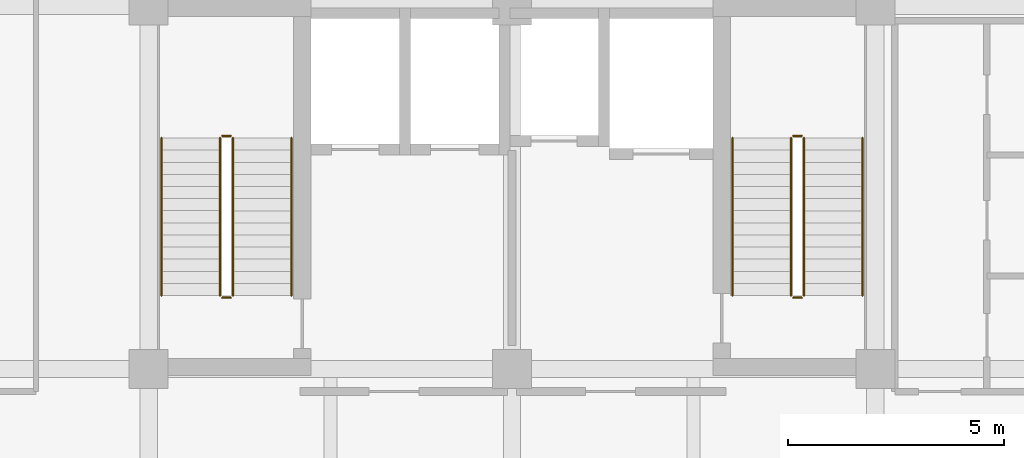
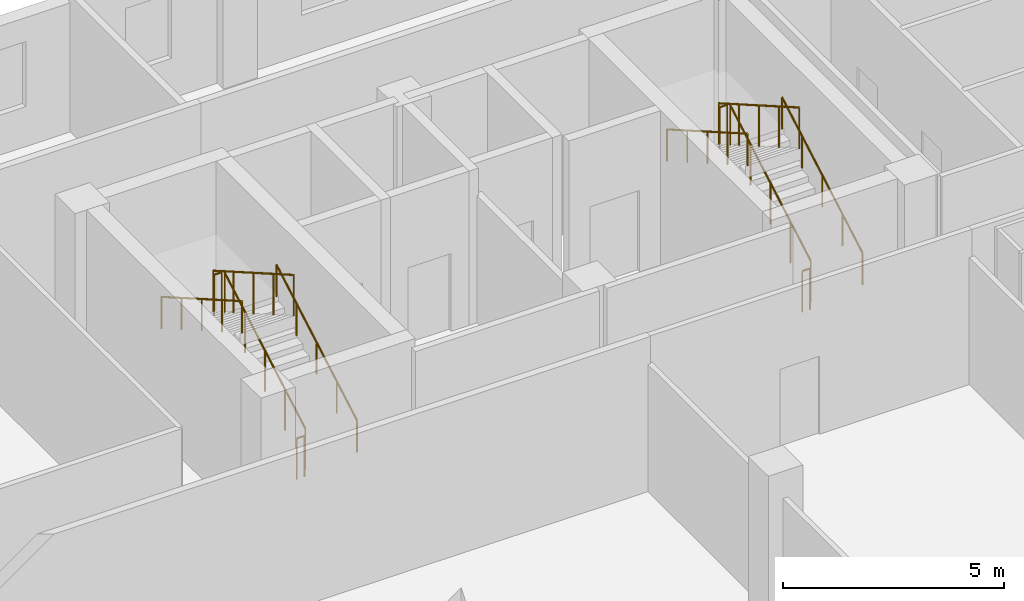
# One storey, part 18 of 18: 12 railings.
"""IFC4 building model written with IfcOpenShell, lengths in metres."""

from ifc_helpers import new_model, si_unit, direction, frame, origin, origin_2d, place, context, subcontext, project, spatial, circle, extrude, material, type_object, element, save


model = new_model("IFC4")

# Units and contexts
model_context = context("Model", 3, precision=1e-05, world=origin(), true_north=direction((0.0, 1.0)))
body_context = subcontext(model_context, "Body", "Model", "MODEL_VIEW")
ifc_project = project(units=[si_unit("LENGTHUNIT", "METRE"), si_unit("AREAUNIT", "SQUARE_METRE"), si_unit("VOLUMEUNIT", "CUBIC_METRE"), si_unit("PLANEANGLEUNIT", "RADIAN"), si_unit("MASSUNIT", "GRAM", prefix="KILO")], contexts=[model_context])

# Site, building, storey
site_placement = place(None, origin())
site = spatial("IfcSite", under=ifc_project, at=site_placement, CompositionType="ELEMENT")
building_placement = place(site_placement, origin())
building = spatial("IfcBuilding", under=site, at=building_placement, Name="Brinegate Botanical Conservatory", CompositionType="ELEMENT")
storey_placement = place(building_placement, frame((0.0, 0.0, 14.699951171875)))
storey = spatial("IfcBuildingStorey", under=building, at=storey_placement, Name="L04", CompositionType="ELEMENT", Elevation=14.699951171875)

# Railings
ifc_material_1 = material(Name="Structural steel Q355B / S355 painted tubular guardrail", Category="steel")
railing_type_1 = type_object("IfcRailingType", Name="Rail_ST-GRD", PredefinedType="GUARDRAIL", material=ifc_material_1)
railing_1_placement = place(storey_placement, frame((140.75, 96.89990234375, 0.16064453125)))
element("IfcRailing", 1, at=railing_1_placement, inside=storey, type_object=railing_type_1, Name="L04 ST1 stair guard 1", PredefinedType="GUARDRAIL", context=body_context, shape_type="SweptSolid", body=[
    extrude(circle(Radius=0.02392578125, at=origin_2d()), frame((0.0, 0.0, 1.1259765625), z_axis=(0.0, 0.867289372828, 0.497804322781), x_axis=(-1.0, 0.0, 0.0)), (0.0, 0.0, 1.0), 4.197021484375),
    extrude(circle(Radius=0.02099609375, at=origin_2d()), origin(), (0.0, 0.0, 1.0), 1.101806640625),
    extrude(circle(Radius=0.02099609375, at=origin_2d()), frame((0.0, 0.91015625, 0.5224609375)), (0.0, 0.0, 1.0), 1.101806640625),
    extrude(circle(Radius=0.02099609375, at=origin_2d()), frame((0.0, 1.820068359375, 1.044677734375)), (0.0, 0.0, 1.0), 1.101806640625),
    extrude(circle(Radius=0.02099609375, at=origin_2d()), frame((0.0, 2.72998046875, 1.56689453125)), (0.0, 0.0, 1.0), 1.101806640625),
    extrude(circle(Radius=0.02099609375, at=origin_2d()), frame((0.0, 3.64013671875, 2.08935546875)), (0.0, 0.0, 1.0), 1.101806640625),
])
railing_2_placement = place(storey_placement, frame((140.699951171875, 100.590087890625, 2.25)))
element("IfcRailing", 2, at=railing_2_placement, inside=storey, type_object=railing_type_1, Name="L04 ST1 stair guard 2", PredefinedType="GUARDRAIL", context=body_context, shape_type="SweptSolid", body=[
    extrude(circle(Radius=0.02392578125, at=origin_2d()), frame((0.0, 0.0, 1.1259765625), z_axis=(-1.0, 0.0, 0.0), x_axis=(0.0, -1.0, 0.0)), (0.0, 0.0, 1.0), 0.199951171875),
    extrude(circle(Radius=0.02099609375, at=origin_2d()), origin(), (0.0, 0.0, 1.0), 1.101806640625),
    extrude(circle(Radius=0.02099609375, at=origin_2d()), frame((-0.199951171875, 0.0, 0.0)), (0.0, 0.0, 1.0), 1.101806640625),
])
railing_3_placement = place(storey_placement, frame((140.449951171875, 100.5400390625, 2.41064453125)))
element("IfcRailing", 3, at=railing_3_placement, inside=storey, type_object=railing_type_1, Name="L04 ST1 stair guard 3", PredefinedType="GUARDRAIL", context=body_context, shape_type="SweptSolid", body=[
    extrude(circle(Radius=0.02392578125, at=origin_2d()), frame((0.0, 0.0, 1.1259765625), z_axis=(0.0, -0.867289372828, 0.497804322781), x_axis=(1.0, 0.0, 0.0)), (0.0, 0.0, 1.0), 4.197021484375),
    extrude(circle(Radius=0.02099609375, at=origin_2d()), origin(), (0.0, 0.0, 1.0), 1.101806640625),
    extrude(circle(Radius=0.02099609375, at=origin_2d()), frame((0.0, -0.91015625, 0.5224609375)), (0.0, 0.0, 1.0), 1.101806640625),
    extrude(circle(Radius=0.02099609375, at=origin_2d()), frame((0.0, -1.820068359375, 1.044677734375)), (0.0, 0.0, 1.0), 1.101806640625),
    extrude(circle(Radius=0.02099609375, at=origin_2d()), frame((0.0, -2.72998046875, 1.56689453125)), (0.0, 0.0, 1.0), 1.101806640625),
    extrude(circle(Radius=0.02099609375, at=origin_2d()), frame((0.0, -3.64013671875, 2.08935546875)), (0.0, 0.0, 1.0), 1.101806640625),
])
railing_4_placement = place(storey_placement, frame((140.699951171875, 96.85009765625, 0.0)))
element("IfcRailing", 4, at=railing_4_placement, inside=storey, type_object=railing_type_1, Name="L04 ST1 stair guard 4", PredefinedType="GUARDRAIL", context=body_context, shape_type="SweptSolid", body=[
    extrude(circle(Radius=0.02392578125, at=origin_2d()), frame((0.0, 0.0, 1.1259765625), z_axis=(-1.0, 0.0, 0.0), x_axis=(0.0, -1.0, 0.0)), (0.0, 0.0, 1.0), 0.199951171875),
    extrude(circle(Radius=0.02099609375, at=origin_2d()), origin(), (0.0, 0.0, 1.0), 1.101806640625),
    extrude(circle(Radius=0.02099609375, at=origin_2d()), frame((-0.199951171875, 0.0, 0.0)), (0.0, 0.0, 1.0), 1.101806640625),
])
railing_5_placement = place(storey_placement, frame((153.949951171875, 96.89990234375, 0.16064453125)))
element("IfcRailing", 5, at=railing_5_placement, inside=storey, type_object=railing_type_1, Name="L04 ST2 stair guard 1", PredefinedType="GUARDRAIL", context=body_context, shape_type="SweptSolid", body=[
    extrude(circle(Radius=0.02392578125, at=origin_2d()), frame((0.0, 0.0, 1.1259765625), z_axis=(0.0, 0.867289372828, 0.497804322781), x_axis=(-1.0, 0.0, 0.0)), (0.0, 0.0, 1.0), 4.197021484375),
    extrude(circle(Radius=0.02099609375, at=origin_2d()), origin(), (0.0, 0.0, 1.0), 1.101806640625),
    extrude(circle(Radius=0.02099609375, at=origin_2d()), frame((0.0, 0.91015625, 0.5224609375)), (0.0, 0.0, 1.0), 1.101806640625),
    extrude(circle(Radius=0.02099609375, at=origin_2d()), frame((0.0, 1.820068359375, 1.044677734375)), (0.0, 0.0, 1.0), 1.101806640625),
    extrude(circle(Radius=0.02099609375, at=origin_2d()), frame((0.0, 2.72998046875, 1.56689453125)), (0.0, 0.0, 1.0), 1.101806640625),
    extrude(circle(Radius=0.02099609375, at=origin_2d()), frame((0.0, 3.64013671875, 2.08935546875)), (0.0, 0.0, 1.0), 1.101806640625),
])
railing_6_placement = place(storey_placement, frame((153.89990234375, 100.590087890625, 2.25)))
element("IfcRailing", 6, at=railing_6_placement, inside=storey, type_object=railing_type_1, Name="L04 ST2 stair guard 2", PredefinedType="GUARDRAIL", context=body_context, shape_type="SweptSolid", body=[
    extrude(circle(Radius=0.02392578125, at=origin_2d()), frame((0.0, 0.0, 1.1259765625), z_axis=(-1.0, 0.0, 0.0), x_axis=(0.0, -1.0, 0.0)), (0.0, 0.0, 1.0), 0.199951171875),
    extrude(circle(Radius=0.02099609375, at=origin_2d()), origin(), (0.0, 0.0, 1.0), 1.101806640625),
    extrude(circle(Radius=0.02099609375, at=origin_2d()), frame((-0.199951171875, 0.0, 0.0)), (0.0, 0.0, 1.0), 1.101806640625),
])
railing_7_placement = place(storey_placement, frame((153.64990234375, 100.5400390625, 2.41064453125)))
element("IfcRailing", 7, at=railing_7_placement, inside=storey, type_object=railing_type_1, Name="L04 ST2 stair guard 3", PredefinedType="GUARDRAIL", context=body_context, shape_type="SweptSolid", body=[
    extrude(circle(Radius=0.02392578125, at=origin_2d()), frame((0.0, 0.0, 1.1259765625), z_axis=(0.0, -0.867289372828, 0.497804322781), x_axis=(1.0, 0.0, 0.0)), (0.0, 0.0, 1.0), 4.197021484375),
    extrude(circle(Radius=0.02099609375, at=origin_2d()), origin(), (0.0, 0.0, 1.0), 1.101806640625),
    extrude(circle(Radius=0.02099609375, at=origin_2d()), frame((0.0, -0.91015625, 0.5224609375)), (0.0, 0.0, 1.0), 1.101806640625),
    extrude(circle(Radius=0.02099609375, at=origin_2d()), frame((0.0, -1.820068359375, 1.044677734375)), (0.0, 0.0, 1.0), 1.101806640625),
    extrude(circle(Radius=0.02099609375, at=origin_2d()), frame((0.0, -2.72998046875, 1.56689453125)), (0.0, 0.0, 1.0), 1.101806640625),
    extrude(circle(Radius=0.02099609375, at=origin_2d()), frame((0.0, -3.64013671875, 2.08935546875)), (0.0, 0.0, 1.0), 1.101806640625),
])
railing_8_placement = place(storey_placement, frame((153.89990234375, 96.85009765625, 0.0)))
element("IfcRailing", 8, at=railing_8_placement, inside=storey, type_object=railing_type_1, Name="L04 ST2 stair guard 4", PredefinedType="GUARDRAIL", context=body_context, shape_type="SweptSolid", body=[
    extrude(circle(Radius=0.02392578125, at=origin_2d()), frame((0.0, 0.0, 1.1259765625), z_axis=(-1.0, 0.0, 0.0), x_axis=(0.0, -1.0, 0.0)), (0.0, 0.0, 1.0), 0.199951171875),
    extrude(circle(Radius=0.02099609375, at=origin_2d()), origin(), (0.0, 0.0, 1.0), 1.101806640625),
    extrude(circle(Radius=0.02099609375, at=origin_2d()), frame((-0.199951171875, 0.0, 0.0)), (0.0, 0.0, 1.0), 1.101806640625),
])
ifc_material_2 = material(Name="Brushed stainless steel S355 handrail", Category="steel")
railing_type_2 = type_object("IfcRailingType", Name="Rail_ST-HND", PredefinedType="HANDRAIL", material=ifc_material_2)
railing_9_placement = place(storey_placement, frame((142.10009765625, 96.89990234375, 0.16064453125)))
element("IfcRailing", 9, at=railing_9_placement, inside=storey, type_object=railing_type_2, Name="L04 ST1 stair handrail 1", PredefinedType="HANDRAIL", context=body_context, shape_type="SweptSolid", body=[
    extrude(circle(Radius=0.02392578125, at=origin_2d()), frame((0.0, 0.0, 0.8759765625), z_axis=(0.0, 0.867289372828, 0.497804322781), x_axis=(-1.0, 0.0, 0.0)), (0.0, 0.0, 1.0), 4.197021484375),
    extrude(circle(Radius=0.02099609375, at=origin_2d()), origin(), (0.0, 0.0, 1.0), 0.851806640625),
    extrude(circle(Radius=0.02099609375, at=origin_2d()), frame((0.0, 0.91015625, 0.5224609375)), (0.0, 0.0, 1.0), 0.851806640625),
    extrude(circle(Radius=0.02099609375, at=origin_2d()), frame((0.0, 1.820068359375, 1.044677734375)), (0.0, 0.0, 1.0), 0.851806640625),
    extrude(circle(Radius=0.02099609375, at=origin_2d()), frame((0.0, 2.72998046875, 1.56689453125)), (0.0, 0.0, 1.0), 0.851806640625),
    extrude(circle(Radius=0.02099609375, at=origin_2d()), frame((0.0, 3.64013671875, 2.08935546875)), (0.0, 0.0, 1.0), 0.851806640625),
])
railing_10_placement = place(storey_placement, frame((139.10009765625, 100.5400390625, 2.41064453125)))
element("IfcRailing", 10, at=railing_10_placement, inside=storey, type_object=railing_type_2, Name="L04 ST1 stair handrail 2", PredefinedType="HANDRAIL", context=body_context, shape_type="SweptSolid", body=[
    extrude(circle(Radius=0.02392578125, at=origin_2d()), frame((0.0, 0.0, 0.8759765625), z_axis=(0.0, -0.867289372828, 0.497804322781), x_axis=(1.0, 0.0, 0.0)), (0.0, 0.0, 1.0), 4.197021484375),
    extrude(circle(Radius=0.02099609375, at=origin_2d()), origin(), (0.0, 0.0, 1.0), 0.851806640625),
    extrude(circle(Radius=0.02099609375, at=origin_2d()), frame((0.0, -0.91015625, 0.5224609375)), (0.0, 0.0, 1.0), 0.851806640625),
    extrude(circle(Radius=0.02099609375, at=origin_2d()), frame((0.0, -1.820068359375, 1.044677734375)), (0.0, 0.0, 1.0), 0.851806640625),
    extrude(circle(Radius=0.02099609375, at=origin_2d()), frame((0.0, -2.72998046875, 1.56689453125)), (0.0, 0.0, 1.0), 0.851806640625),
    extrude(circle(Radius=0.02099609375, at=origin_2d()), frame((0.0, -3.64013671875, 2.08935546875)), (0.0, 0.0, 1.0), 0.851806640625),
])
railing_11_placement = place(storey_placement, frame((155.300048828125, 96.89990234375, 0.16064453125)))
element("IfcRailing", 11, at=railing_11_placement, inside=storey, type_object=railing_type_2, Name="L04 ST2 stair handrail 1", PredefinedType="HANDRAIL", context=body_context, shape_type="SweptSolid", body=[
    extrude(circle(Radius=0.02392578125, at=origin_2d()), frame((0.0, 0.0, 0.8759765625), z_axis=(0.0, 0.867289372828, 0.497804322781), x_axis=(-1.0, 0.0, 0.0)), (0.0, 0.0, 1.0), 4.197021484375),
    extrude(circle(Radius=0.02099609375, at=origin_2d()), origin(), (0.0, 0.0, 1.0), 0.851806640625),
    extrude(circle(Radius=0.02099609375, at=origin_2d()), frame((0.0, 0.91015625, 0.5224609375)), (0.0, 0.0, 1.0), 0.851806640625),
    extrude(circle(Radius=0.02099609375, at=origin_2d()), frame((0.0, 1.820068359375, 1.044677734375)), (0.0, 0.0, 1.0), 0.851806640625),
    extrude(circle(Radius=0.02099609375, at=origin_2d()), frame((0.0, 2.72998046875, 1.56689453125)), (0.0, 0.0, 1.0), 0.851806640625),
    extrude(circle(Radius=0.02099609375, at=origin_2d()), frame((0.0, 3.64013671875, 2.08935546875)), (0.0, 0.0, 1.0), 0.851806640625),
])
railing_12_placement = place(storey_placement, frame((152.300048828125, 100.5400390625, 2.41064453125)))
element("IfcRailing", 12, at=railing_12_placement, inside=storey, type_object=railing_type_2, Name="L04 ST2 stair handrail 2", PredefinedType="HANDRAIL", context=body_context, shape_type="SweptSolid", body=[
    extrude(circle(Radius=0.02392578125, at=origin_2d()), frame((0.0, 0.0, 0.8759765625), z_axis=(0.0, -0.867289372828, 0.497804322781), x_axis=(1.0, 0.0, 0.0)), (0.0, 0.0, 1.0), 4.197021484375),
    extrude(circle(Radius=0.02099609375, at=origin_2d()), origin(), (0.0, 0.0, 1.0), 0.851806640625),
    extrude(circle(Radius=0.02099609375, at=origin_2d()), frame((0.0, -0.91015625, 0.5224609375)), (0.0, 0.0, 1.0), 0.851806640625),
    extrude(circle(Radius=0.02099609375, at=origin_2d()), frame((0.0, -1.820068359375, 1.044677734375)), (0.0, 0.0, 1.0), 0.851806640625),
    extrude(circle(Radius=0.02099609375, at=origin_2d()), frame((0.0, -2.72998046875, 1.56689453125)), (0.0, 0.0, 1.0), 0.851806640625),
    extrude(circle(Radius=0.02099609375, at=origin_2d()), frame((0.0, -3.64013671875, 2.08935546875)), (0.0, 0.0, 1.0), 0.851806640625),
])

save(model, "model.ifc")
